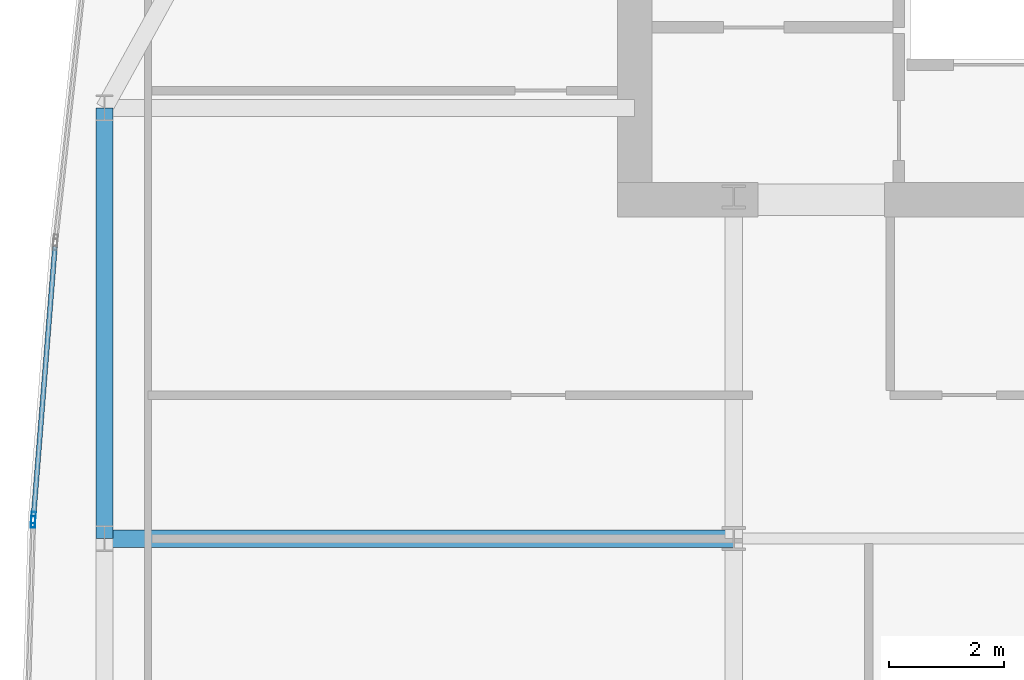
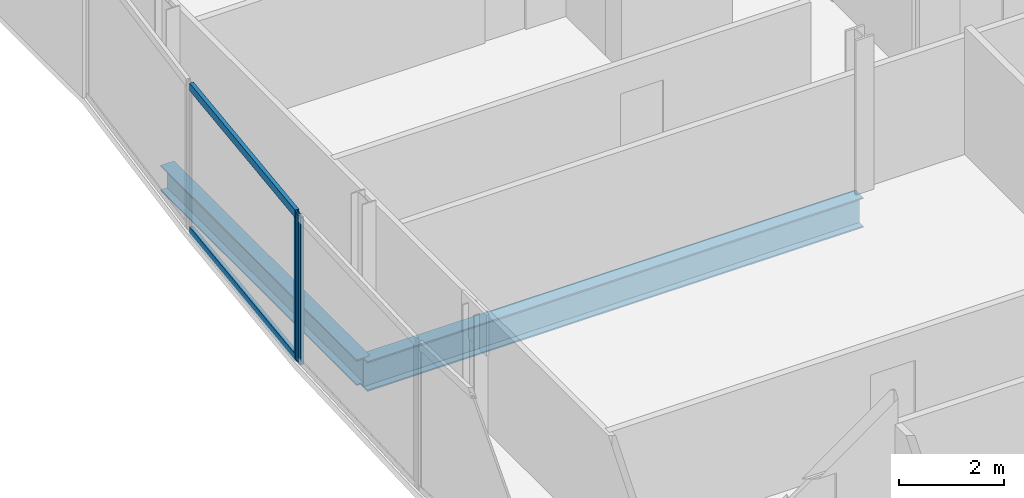
# One storey, part 12 of 32: 4 members, 2 beams, 2 elements without a shape of their own.
"""IFC4 building model written with IfcOpenShell, lengths in metres."""

from ifc_helpers import new_model, si_unit, direction, frame, origin, origin_2d, place, context, subcontext, project, spatial, hollow_rectangle, i_section, extrude, material, material_profile, profile_set, type_object, element, aggregate, save


model = new_model("IFC4")

# Units and contexts
model_context = context("Model", 3, precision=1e-05, world=origin(), true_north=direction((0.0, 1.0)))
body_context = subcontext(model_context, "Body", "Model", "MODEL_VIEW")
ifc_project = project(units=[si_unit("LENGTHUNIT", "METRE"), si_unit("AREAUNIT", "SQUARE_METRE"), si_unit("VOLUMEUNIT", "CUBIC_METRE"), si_unit("PLANEANGLEUNIT", "RADIAN"), si_unit("MASSUNIT", "GRAM", prefix="KILO")], contexts=[model_context])

# Site, building, storey
site_placement = place(None, origin())
site = spatial("IfcSite", under=ifc_project, at=site_placement, CompositionType="ELEMENT")
building_placement = place(site_placement, origin())
building = spatial("IfcBuilding", under=site, at=building_placement, Name="Khoronbel Lancet Exchange", CompositionType="ELEMENT")
storey_placement = place(building_placement, frame((0.0, 0.0, 195.800048828125)))
storey = spatial("IfcBuildingStorey", under=building, at=storey_placement, Name="L49", CompositionType="ELEMENT", Elevation=195.800048828125)

# Beams
ifc_material_1 = material(Name="Steel S355", Category="steel")
ifc_material_profile_1 = material_profile(ifc_material_1, i_section(OverallWidth=0.300048828125, OverallDepth=0.699951171875, WebThickness=0.01708984375, FlangeThickness=0.031982421875, at=origin_2d()), Name="HEB 700")
ifc_profile_set_1 = profile_set([ifc_material_profile_1], Name="Steel S355")
beam_type_1 = type_object("IfcBeamType", Name="BM-BG3", PredefinedType="BEAM", material=ifc_profile_set_1)
beam_1_placement = place(storey_placement, frame((7.27001953125, 35.699951171875, -0.510009765625), z_axis=(1.0, 0.0, 0.0), x_axis=(0.0, 1.0, 0.0)))
element("IfcBeam", 1, at=beam_1_placement, inside=storey, type_object=beam_type_1, Name="Level L49 west lens tie girder LG4W", PredefinedType="BEAM", context=body_context, shape_type="SweptSolid", body=[
    extrude(i_section(OverallWidth=0.300048828125, OverallDepth=0.699951171875, WebThickness=0.01708984375, FlangeThickness=0.031982421875, at=origin_2d()), origin(), (0.0, 0.0, 1.0), 10.955078125),
])
ifc_material_profile_2 = material_profile(ifc_material_1, i_section(OverallWidth=0.300048828125, OverallDepth=0.60009765625, WebThickness=0.015380859375, FlangeThickness=0.030029296875, at=origin_2d()), Name="HEB 600")
ifc_profile_set_2 = profile_set([ifc_material_profile_2], Name="Steel S355")
beam_type_2 = type_object("IfcBeamType", Name="BM-BSP2", PredefinedType="SPANDREL", material=ifc_profile_set_2)
beam_2_placement = place(storey_placement, frame((7.27001953125, 43.199951171875, -0.4599609375), z_axis=(0.0, -1.0, 0.0), x_axis=(1.0, 0.0, 0.0)))
element("IfcBeam", 2, at=beam_2_placement, inside=storey, type_object=beam_type_2, Name="Level L49 perimeter spandrel beam SP17", PredefinedType="SPANDREL", context=body_context, shape_type="SweptSolid", body=[
    extrude(i_section(OverallWidth=0.300048828125, OverallDepth=0.60009765625, WebThickness=0.015380859375, FlangeThickness=0.030029296875, at=origin_2d()), origin(), (0.0, 0.0, 1.0), 7.5),
])

# Curtain wall, member
ifc_material_2 = material(Name="Low-E Solar Control Insulating Glass", Category="glass")
curtain_wall_type = type_object("IfcCurtainWallType", Name="CW-4", PredefinedType="NOTDEFINED", material=ifc_material_2)
curtain_wall_1_placement = place(storey_placement, origin())
curtain_wall_1 = element("IfcCurtainWall", 3, at=curtain_wall_1_placement, inside=storey, type_object=curtain_wall_type, Name="Unitised curtain wall CW-L49-E07", PredefinedType="NOTDEFINED")
ifc_material_3 = material(Name="Bronze-Anodised Aluminium 6063-T6", Category="aluminium")
ifc_material_profile_3 = material_profile(ifc_material_3, hollow_rectangle(XDim=0.074951171875, YDim=0.199951171875, WallThickness=0.0048828125, at=origin_2d()), Name="ALU MULLION 75x200")
ifc_profile_set_3 = profile_set([ifc_material_profile_3], Name="Bronze-Anodised Aluminium 6063-T6")
member_type_1 = type_object("IfcMemberType", Name="MEM-CWM2", PredefinedType="MULLION", material=ifc_profile_set_3)
member_1_placement = place(storey_placement, frame((6.029541015625, 35.990966796875, 0.0), z_axis=(0.0, 0.0, 1.0), x_axis=(-0.999576300376, 0.029107039142, 0.0)))
member_1 = element("IfcMember", 4, at=member_1_placement, type_object=member_type_1, Name="CW4 mullion 2", PredefinedType="MULLION", context=body_context, shape_type="SweptSolid", body=[
    extrude(hollow_rectangle(XDim=0.074951171875, YDim=0.199951171875, WallThickness=0.0048828125, at=origin_2d()), origin(), (0.0, 0.0, 1.0), 3.43994140625),
])
aggregate(curtain_wall_1, [member_1])

# Curtain wall, members
curtain_wall_2_placement = place(storey_placement, origin())
curtain_wall_2 = element("IfcCurtainWall", 5, at=curtain_wall_2_placement, inside=storey, type_object=curtain_wall_type, Name="Unitised curtain wall CW-L49-E08", PredefinedType="NOTDEFINED")
member_2_placement = place(storey_placement, frame((6.03369140625, 36.065673828125, 0.0), z_axis=(0.0, 0.0, 1.0), x_axis=(-0.996854401909, 0.079254661653, 0.0)))
member_2 = element("IfcMember", 6, at=member_2_placement, type_object=member_type_1, Name="CW4 mullion 1", PredefinedType="MULLION", context=body_context, shape_type="SweptSolid", body=[
    extrude(hollow_rectangle(XDim=0.074951171875, YDim=0.199951171875, WallThickness=0.0048828125, at=origin_2d()), origin(), (0.0, 0.0, 1.0), 3.43994140625),
])
ifc_material_profile_4 = material_profile(ifc_material_3, hollow_rectangle(XDim=0.0849609375, YDim=0.179931640625, WallThickness=0.0048828125, at=origin_2d()), Name="ALU TRANSOM 85x180")
ifc_profile_set_4 = profile_set([ifc_material_profile_4], Name="Bronze-Anodised Aluminium 6063-T6")
member_type_2 = type_object("IfcMemberType", Name="MEM-CWT1", PredefinedType="USERDEFINED", material=ifc_profile_set_4)
member_3_placement = place(storey_placement, frame((6.03662109375, 36.103271484375, 0.04248046875), z_axis=(0.079249179589, 0.996854837744, 0.0), x_axis=(-0.996854837744, 0.079249179589, 0.0)))
member_3 = element("IfcMember", 7, at=member_3_placement, type_object=member_type_2, Name="CW4 transom 1.1", ObjectType="TRANSOM", PredefinedType="USERDEFINED", context=body_context, shape_type="SweptSolid", body=[
    extrude(hollow_rectangle(XDim=0.0849609375, YDim=0.179931640625, WallThickness=0.0048828125, at=origin_2d()), origin(), (0.0, 0.0, 1.0), 4.69482421875),
])
member_4_placement = place(storey_placement, frame((6.03662109375, 36.103271484375, 3.3974609375), z_axis=(0.079249179589, 0.996854837744, 0.0), x_axis=(-0.996854837744, 0.079249179589, 0.0)))
member_4 = element("IfcMember", 8, at=member_4_placement, type_object=member_type_2, Name="CW4 transom 1.2", ObjectType="TRANSOM", PredefinedType="USERDEFINED", context=body_context, shape_type="SweptSolid", body=[
    extrude(hollow_rectangle(XDim=0.0849609375, YDim=0.179931640625, WallThickness=0.0048828125, at=origin_2d()), origin(), (0.0, 0.0, 1.0), 4.69482421875),
])
aggregate(curtain_wall_2, [member_2, member_3, member_4])

save(model, "model.ifc")
